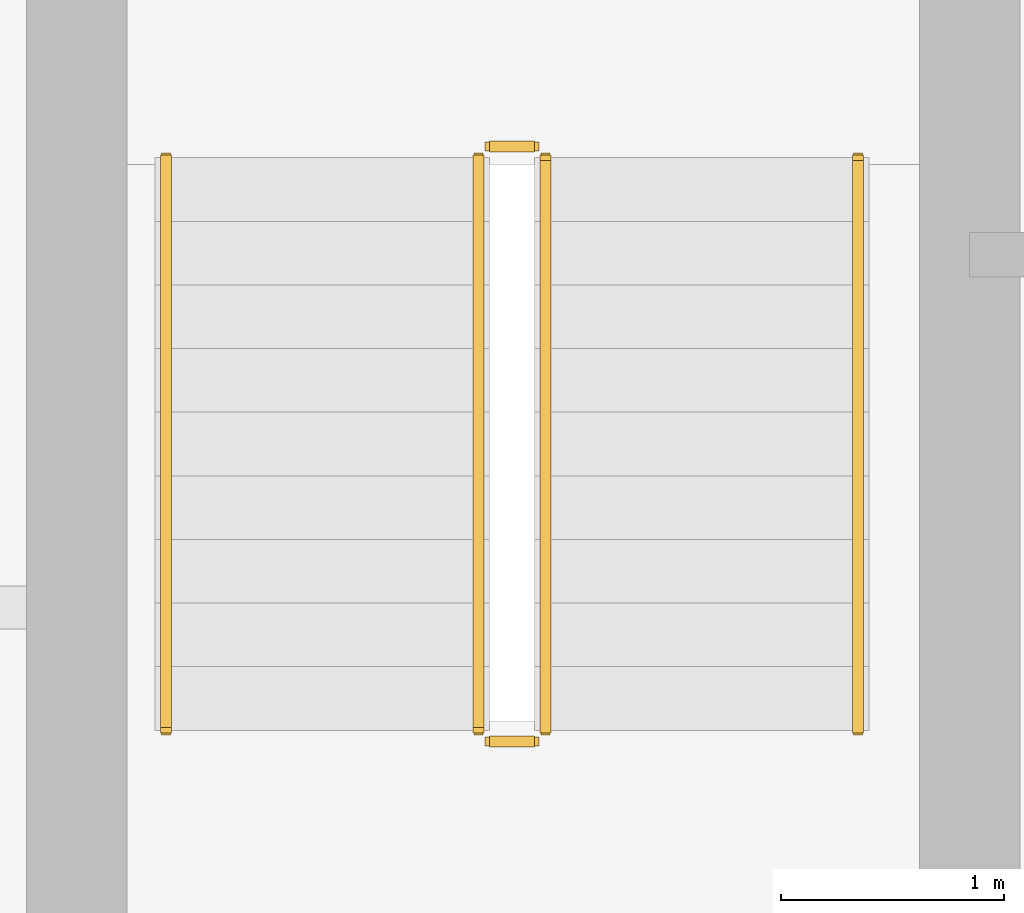
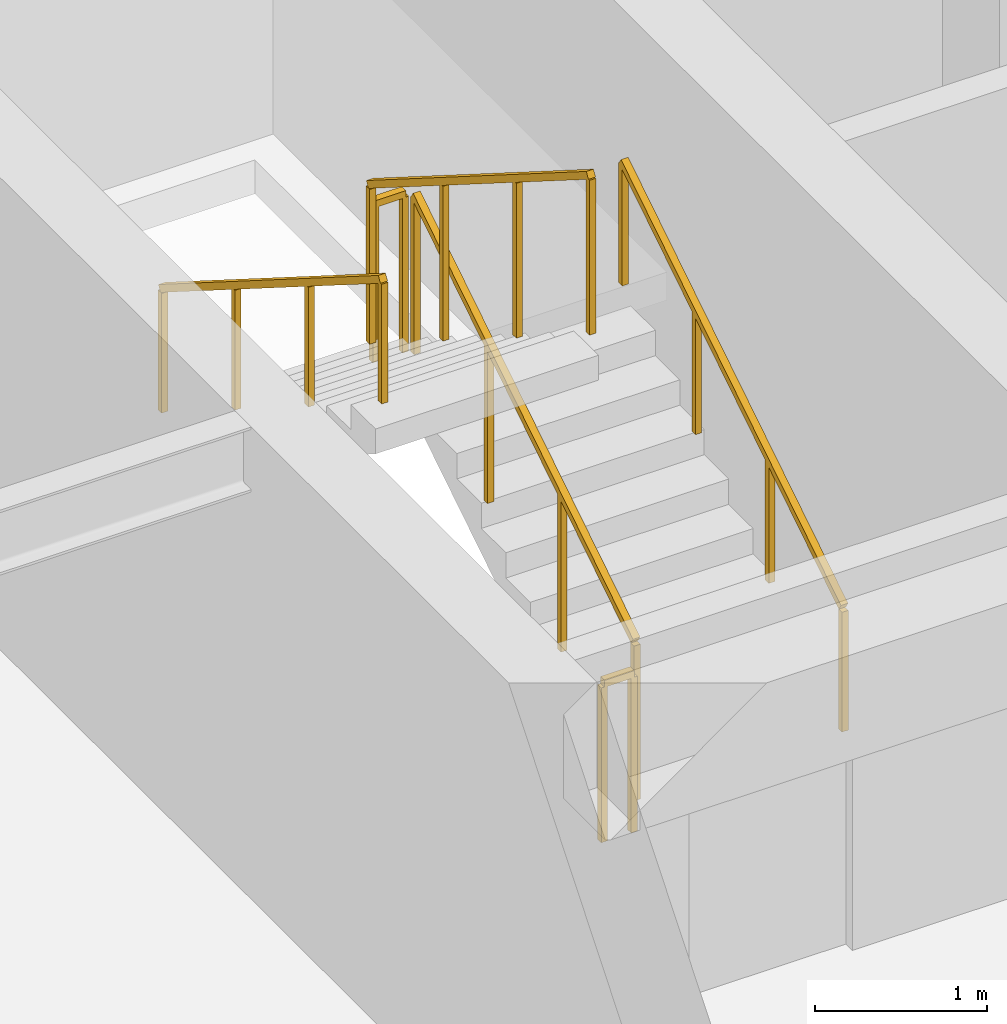
# One storey, part 20 of 22: 6 railings.
"""IFC4 building model written with IfcOpenShell, lengths in metres."""

import ifcopenshell
import ifcopenshell.guid

model = None  # the IFC model being written
_history = None  # IfcOwnerHistory: only IFC2X3 demands one
_inside = {}  # id of a spatial element -> (the spatial element, [elements in it])
_under = {}  # id of a project, library or spatial element -> (it, [spatial elements below it])
_declared = {}  # id of a project -> (the project, [libraries it declares])
_typed = {}  # id of a type object -> (the type object, [elements of that type])
_made_of = {}  # id of a material, layer set ... -> (it, [elements and type objects made of it])


def new_model(schema):
    """Start an empty IFC model of exactly this schema.

    Asked for "IFC4X3", IfcOpenShell would pick the latest addendum, in which some entities
    have other attributes; the version numbers below select the first issue.
    IFC2X3 requires an IfcOwnerHistory on every rooted entity: one is made here for all.
    """
    global model, _history
    if schema == "IFC4X3":
        model = ifcopenshell.file(schema_version=(4, 3, 0, 0))
    else:
        model = ifcopenshell.file(schema=schema)
    _inside.clear()
    _under.clear()
    _declared.clear()
    _typed.clear()
    _made_of.clear()
    _history = None
    if model.schema == "IFC2X3":
        org = make("IfcOrganization", Name="unknown")
        user = make(
            "IfcPersonAndOrganization",
            ThePerson=make("IfcPerson", FamilyName="unknown"),
            TheOrganization=org,
        )
        app = make(
            "IfcApplication",
            ApplicationDeveloper=org,
            Version="unknown",
            ApplicationFullName="unknown",
            ApplicationIdentifier="unknown",
        )
        _history = make(
            "IfcOwnerHistory",
            OwningUser=user,
            OwningApplication=app,
            ChangeAction="ADDED",
            CreationDate=0,
        )
    return model


def make(cls, **values):
    """One entity of the class cls with the attributes given. An attribute that is None is left unset."""
    return model.create_entity(
        cls, **{name: value for name, value in values.items() if value is not None}
    )


def rooted(cls, **values):
    """An entity with a GlobalId (a new one), such as an element, a storey or a relation."""
    return make(cls, GlobalId=ifcopenshell.guid.new(), OwnerHistory=_history, **values)


def si_unit(unit_type, name, prefix=None):
    """IfcSIUnit, for example si_unit("LENGTHUNIT", "METRE", prefix="MILLI")."""
    return make("IfcSIUnit", UnitType=unit_type, Prefix=prefix, Name=name)


def assignment(units):
    """IfcUnitAssignment: the units of a project."""
    return None if units is None else make("IfcUnitAssignment", Units=units)


def point(xyz):
    """IfcCartesianPoint."""
    return None if xyz is None else make("IfcCartesianPoint", Coordinates=xyz)


def direction(xyz):
    """IfcDirection."""
    return None if xyz is None else make("IfcDirection", DirectionRatios=xyz)


def frame(location, z_axis=None, x_axis=None):
    """IfcAxis2Placement3D, a coordinate frame: its origin and axes. An axis left out is left unset."""
    return make(
        "IfcAxis2Placement3D",
        Location=point(location),
        Axis=direction(z_axis),
        RefDirection=direction(x_axis),
    )


def frame_2d(location, x_axis=None):
    """IfcAxis2Placement2D, a coordinate frame in the plane: its origin and x axis."""
    return make(
        "IfcAxis2Placement2D", Location=point(location), RefDirection=direction(x_axis)
    )


def origin():
    """The frame at (0, 0, 0) with its axes left unset."""
    return frame((0.0, 0.0, 0.0))


def origin_2d():
    """The frame at (0, 0) in the plane with its x axis left unset."""
    return frame_2d((0.0, 0.0))


def place(relative_to, where):
    """IfcLocalPlacement: puts the frame where relative to a parent placement (None: the world)."""
    return make(
        "IfcLocalPlacement", PlacementRelTo=relative_to, RelativePlacement=where
    )


def context(
    kind, dimensions, precision=None, world=None, true_north=None, identifier=None
):
    """IfcGeometricRepresentationContext, for example the 3D "Model" context."""
    return make(
        "IfcGeometricRepresentationContext",
        ContextIdentifier=identifier,
        ContextType=kind,
        CoordinateSpaceDimension=dimensions,
        Precision=precision,
        WorldCoordinateSystem=world,
        TrueNorth=true_north,
    )


def subcontext(parent, identifier, kind, view, scale=None):
    """IfcGeometricRepresentationSubContext, for example "Body" below "Model"."""
    return make(
        "IfcGeometricRepresentationSubContext",
        ContextIdentifier=identifier,
        ContextType=kind,
        ParentContext=parent,
        TargetScale=scale,
        TargetView=view,
    )


def project(units=None, contexts=None):
    """IfcProject with its units and contexts."""
    return rooted(
        "IfcProject",
        Name="project",
        RepresentationContexts=contexts,
        UnitsInContext=assignment(units),
    )


def spatial(cls, under=None, at=None, **own):
    """A site, building, storey or space (cls), placed at a placement, below another one or the project."""
    s = rooted(cls, ObjectPlacement=at, **own)
    if under is not None:
        _under.setdefault(under.id(), (under, []))[1].append(s)
    return s


def profile(cls, at=None, kind="AREA", **sizes):
    """A parametric profile (cls). Its sizes go by their IFC names, for example OverallWidth=200.0."""
    return make(cls, ProfileType=kind, Position=at, **sizes)


def rectangle(**sizes):
    """IfcRectangleProfileDef."""
    return profile("IfcRectangleProfileDef", **sizes)


def extrude(swept, where, along, depth):
    """IfcExtrudedAreaSolid: the profile swept, set in the frame where, extruded along a direction by depth."""
    return make(
        "IfcExtrudedAreaSolid",
        SweptArea=swept,
        Position=where,
        ExtrudedDirection=direction(along),
        Depth=depth,
    )


def shape(context_of_items, identifier, shape_type, items):
    """IfcShapeRepresentation: the items that make up one representation, for example the "Body"."""
    return make(
        "IfcShapeRepresentation",
        ContextOfItems=context_of_items,
        RepresentationIdentifier=identifier,
        RepresentationType=shape_type,
        Items=items,
    )


def material(Name=None, Category=None):
    """IfcMaterial."""
    return make("IfcMaterial", Name=Name, Category=Category)


def made_of(thing, what):
    """Note that an element or type object is made of a material, layer set ...; save() writes the relation."""
    if what is not None:
        _made_of.setdefault(what.id(), (what, []))[1].append(thing)
    return thing


def type_object(cls, material=None, **own):
    """A type object (cls), such as IfcWallType, which elements share."""
    return made_of(rooted(cls, **own), material)


def element(
    cls,
    number,
    at=None,
    inside=None,
    cuts=None,
    type_object=None,
    material=None,
    context=None,
    identifier="Body",
    shape_type=None,
    held_by="IfcProductDefinitionShape",
    body=None,
    shapes=None,
    **own,
):
    """One element of the class cls, such as IfcWall. Its Tag is "e" and its number.

    at: its placement. inside: the storey or other place that contains it. cuts: it is an
    opening in that element (IfcRelVoidsElement). A single representation is given by context,
    identifier, shape_type and body (its items); several are given by shapes. held_by: the class
    of the entity that holds the representations. save() writes the other relations.
    """
    e = rooted(cls, Tag="e%d" % number, ObjectPlacement=at, **own)
    if body is not None:
        shapes = [shape(context, identifier, shape_type, body)]
    if shapes is not None:
        e.Representation = make(held_by, Representations=shapes)
    if inside is not None:
        _inside.setdefault(inside.id(), (inside, []))[1].append(e)
    if cuts is not None:
        rooted(
            "IfcRelVoidsElement", RelatingBuildingElement=cuts, RelatedOpeningElement=e
        )
    if type_object is not None:
        _typed.setdefault(type_object.id(), (type_object, []))[1].append(e)
    return made_of(e, material)


def aggregate(whole, parts):
    """IfcRelAggregates: a whole, such as a stair, and the parts it consists of."""
    return rooted("IfcRelAggregates", RelatingObject=whole, RelatedObjects=parts)


def save(model, path):
    """Write the relations noted so far, then the file.

    IfcRelAggregates (storeys below a building ...), IfcRelContainedInSpatialStructure (elements
    in a storey), IfcRelDefinesByType, IfcRelAssociatesMaterial and IfcRelDeclares: one each for
    every whole, place, type object, material and project.
    """
    for whole, parts in _under.values():
        aggregate(whole, parts)
    for where, things in _inside.values():
        rooted(
            "IfcRelContainedInSpatialStructure",
            RelatedElements=things,
            RelatingStructure=where,
        )
    for kind, things in _typed.values():
        rooted("IfcRelDefinesByType", RelatedObjects=things, RelatingType=kind)
    for what, things in _made_of.values():
        rooted("IfcRelAssociatesMaterial", RelatedObjects=things, RelatingMaterial=what)
    for by, libraries in _declared.values():
        rooted("IfcRelDeclares", RelatingContext=by, RelatedDefinitions=libraries)
    model.write(path)


model = new_model("IFC4")

# Units and contexts
model_context = context("Model", 3, precision=1e-05, world=origin(), true_north=direction((0.0, 1.0)))
body_context = subcontext(model_context, "Body", "Model", "MODEL_VIEW")
ifc_project = project(units=[si_unit("LENGTHUNIT", "METRE"), si_unit("AREAUNIT", "SQUARE_METRE"), si_unit("VOLUMEUNIT", "CUBIC_METRE"), si_unit("PLANEANGLEUNIT", "RADIAN"), si_unit("MASSUNIT", "GRAM", prefix="KILO")], contexts=[model_context])

# Site, building, storey
site_placement = place(None, origin())
site = spatial("IfcSite", under=ifc_project, at=site_placement, CompositionType="ELEMENT")
building_placement = place(site_placement, origin())
building = spatial("IfcBuilding", under=site, at=building_placement, Name="Sarneth Arch Tower", CompositionType="ELEMENT")
storey_placement = place(building_placement, frame((0.0, 0.0, 206.39990234375)))
storey = spatial("IfcBuildingStorey", under=building, at=storey_placement, Name="L52", CompositionType="ELEMENT", Elevation=206.39990234375)

# Railings
ifc_material_1 = material(Name="Brushed Stainless Steel 304 tubular handrail", Category="steel")
railing_type_1 = type_object("IfcRailingType", Name="RAIL-HANDRAIL-900", PredefinedType="HANDRAIL", material=ifc_material_1)
railing_1_placement = place(storey_placement, frame((40.5, 41.449951171875, 0.18017578125)))
element("IfcRailing", 1, at=railing_1_placement, inside=storey, type_object=railing_type_1, Name="L52 ST-1 stair handrail 1", PredefinedType="HANDRAIL", context=body_context, shape_type="SweptSolid", body=[
    extrude(rectangle(XDim=0.048095703125, YDim=0.048095703125, at=origin_2d()), frame((0.0, 0.0, 0.8759765625), z_axis=(0.0, 0.845502289212, 0.533971796014), x_axis=(-1.0, 0.0, 0.0)), (0.0, 0.0, 1.0), 3.03369140625),
    extrude(rectangle(XDim=0.0419921875, YDim=0.0419921875, at=origin_2d()), origin(), (0.0, 0.0, 1.0), 0.851806640625),
    extrude(rectangle(XDim=0.0419921875, YDim=0.0419921875, at=origin_2d()), frame((0.0, 0.85498046875, 0.5400390625)), (0.0, 0.0, 1.0), 0.851806640625),
    extrude(rectangle(XDim=0.0419921875, YDim=0.0419921875, at=origin_2d()), frame((0.0, 1.7099609375, 1.079833984375)), (0.0, 0.0, 1.0), 0.851806640625),
    extrude(rectangle(XDim=0.0419921875, YDim=0.0419921875, at=origin_2d()), frame((0.0, 2.56494140625, 1.619873046875)), (0.0, 0.0, 1.0), 0.851806640625),
])
railing_2_placement = place(storey_placement, frame((37.39990234375, 44.014892578125, 1.97998046875)))
element("IfcRailing", 2, at=railing_2_placement, inside=storey, type_object=railing_type_1, Name="L52 ST-1 stair handrail 2", PredefinedType="HANDRAIL", context=body_context, shape_type="SweptSolid", body=[
    extrude(rectangle(XDim=0.048095703125, YDim=0.048095703125, at=origin_2d()), frame((0.0, 0.0, 0.8759765625), z_axis=(0.0, -0.845465955043, 0.534029323973), x_axis=(1.0, 0.0, 0.0)), (0.0, 0.0, 1.0), 3.03369140625),
    extrude(rectangle(XDim=0.0419921875, YDim=0.0419921875, at=origin_2d()), origin(), (0.0, 0.0, 1.0), 0.851806640625),
    extrude(rectangle(XDim=0.0419921875, YDim=0.0419921875, at=origin_2d()), frame((0.0, -0.85498046875, 0.5400390625)), (0.0, 0.0, 1.0), 0.851806640625),
    extrude(rectangle(XDim=0.0419921875, YDim=0.0419921875, at=origin_2d()), frame((0.0, -1.7099609375, 1.080078125)), (0.0, 0.0, 1.0), 0.851806640625),
    extrude(rectangle(XDim=0.0419921875, YDim=0.0419921875, at=origin_2d()), frame((0.0, -2.56494140625, 1.6201171875)), (0.0, 0.0, 1.0), 0.851806640625),
])
ifc_material_2 = material(Name="Painted Steel S275 stair well guard", Category="steel")
railing_type_2 = type_object("IfcRailingType", Name="RAIL-STAIR-GUARD", PredefinedType="GUARDRAIL", material=ifc_material_2)
railing_3_placement = place(storey_placement, frame((39.10009765625, 41.449951171875, 0.18017578125)))
element("IfcRailing", 3, at=railing_3_placement, inside=storey, type_object=railing_type_2, Name="L52 ST-1 stair guard 1", PredefinedType="GUARDRAIL", context=body_context, shape_type="SweptSolid", body=[
    extrude(rectangle(XDim=0.048095703125, YDim=0.048095703125, at=origin_2d()), frame((0.0, 0.0, 1.1259765625), z_axis=(0.0, 0.845502289212, 0.533971796014), x_axis=(-1.0, 0.0, 0.0)), (0.0, 0.0, 1.0), 3.03369140625),
    extrude(rectangle(XDim=0.0419921875, YDim=0.0419921875, at=origin_2d()), origin(), (0.0, 0.0, 1.0), 1.101806640625),
    extrude(rectangle(XDim=0.0419921875, YDim=0.0419921875, at=origin_2d()), frame((0.0, 0.85498046875, 0.5400390625)), (0.0, 0.0, 1.0), 1.101806640625),
    extrude(rectangle(XDim=0.0419921875, YDim=0.0419921875, at=origin_2d()), frame((0.0, 1.7099609375, 1.079833984375)), (0.0, 0.0, 1.0), 1.101806640625),
    extrude(rectangle(XDim=0.0419921875, YDim=0.0419921875, at=origin_2d()), frame((0.0, 2.56494140625, 1.619873046875)), (0.0, 0.0, 1.0), 1.101806640625),
])
railing_4_placement = place(storey_placement, frame((39.050048828125, 44.06494140625, 1.800048828125)))
element("IfcRailing", 4, at=railing_4_placement, inside=storey, type_object=railing_type_2, Name="L52 ST-1 stair guard 2", PredefinedType="GUARDRAIL", context=body_context, shape_type="SweptSolid", body=[
    extrude(rectangle(XDim=0.048095703125, YDim=0.048095703125, at=origin_2d()), frame((0.0, 0.0, 1.1259765625), z_axis=(-1.0, 0.0, 0.0), x_axis=(0.0, -1.0, 0.0)), (0.0, 0.0, 1.0), 0.199951171875),
    extrude(rectangle(XDim=0.0419921875, YDim=0.0419921875, at=origin_2d()), origin(), (0.0, 0.0, 1.0), 1.101806640625),
    extrude(rectangle(XDim=0.0419921875, YDim=0.0419921875, at=origin_2d()), frame((-0.199951171875, 0.0, 0.0)), (0.0, 0.0, 1.0), 1.101806640625),
])
railing_5_placement = place(storey_placement, frame((38.800048828125, 44.014892578125, 1.97998046875)))
element("IfcRailing", 5, at=railing_5_placement, inside=storey, type_object=railing_type_2, Name="L52 ST-1 stair guard 3", PredefinedType="GUARDRAIL", context=body_context, shape_type="SweptSolid", body=[
    extrude(rectangle(XDim=0.048095703125, YDim=0.048095703125, at=origin_2d()), frame((0.0, 0.0, 1.1259765625), z_axis=(0.0, -0.845465955043, 0.534029323973), x_axis=(1.0, 0.0, 0.0)), (0.0, 0.0, 1.0), 3.03369140625),
    extrude(rectangle(XDim=0.0419921875, YDim=0.0419921875, at=origin_2d()), origin(), (0.0, 0.0, 1.0), 1.101806640625),
    extrude(rectangle(XDim=0.0419921875, YDim=0.0419921875, at=origin_2d()), frame((0.0, -0.85498046875, 0.5400390625)), (0.0, 0.0, 1.0), 1.101806640625),
    extrude(rectangle(XDim=0.0419921875, YDim=0.0419921875, at=origin_2d()), frame((0.0, -1.7099609375, 1.080078125)), (0.0, 0.0, 1.0), 1.101806640625),
    extrude(rectangle(XDim=0.0419921875, YDim=0.0419921875, at=origin_2d()), frame((0.0, -2.56494140625, 1.6201171875)), (0.0, 0.0, 1.0), 1.101806640625),
])
railing_6_placement = place(storey_placement, frame((39.050048828125, 41.39990234375, 0.0)))
element("IfcRailing", 6, at=railing_6_placement, inside=storey, type_object=railing_type_2, Name="L52 ST-1 stair guard 4", PredefinedType="GUARDRAIL", context=body_context, shape_type="SweptSolid", body=[
    extrude(rectangle(XDim=0.048095703125, YDim=0.048095703125, at=origin_2d()), frame((0.0, 0.0, 1.1259765625), z_axis=(-1.0, 0.0, 0.0), x_axis=(0.0, -1.0, 0.0)), (0.0, 0.0, 1.0), 0.199951171875),
    extrude(rectangle(XDim=0.0419921875, YDim=0.0419921875, at=origin_2d()), origin(), (0.0, 0.0, 1.0), 1.101806640625),
    extrude(rectangle(XDim=0.0419921875, YDim=0.0419921875, at=origin_2d()), frame((-0.199951171875, 0.0, 0.0)), (0.0, 0.0, 1.0), 1.101806640625),
])

save(model, "model.ifc")
